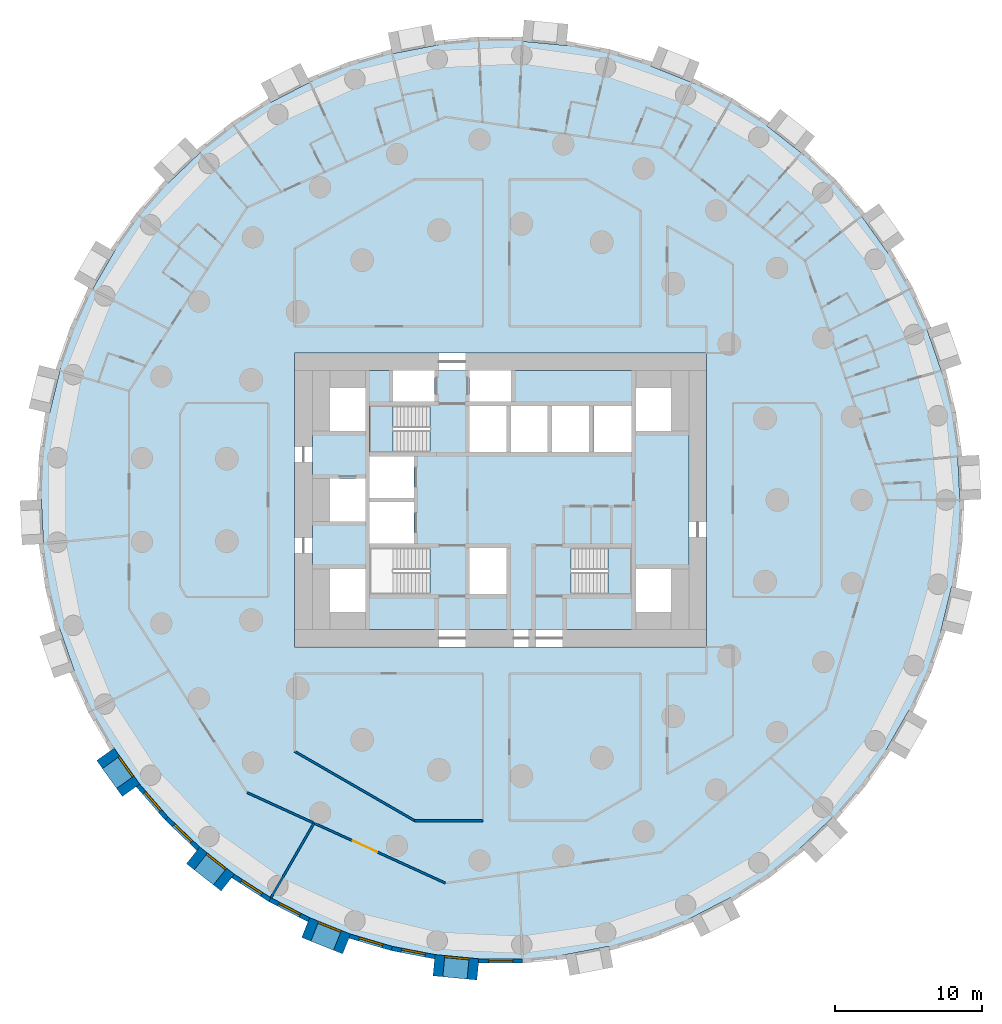
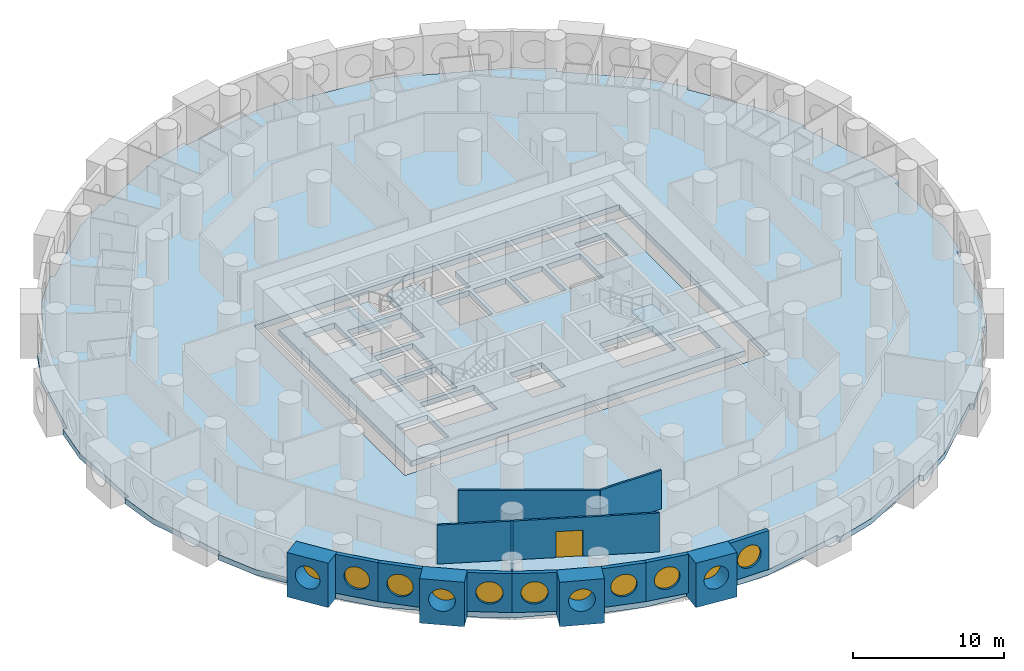
# One storey, part 2 of 12: 15 walls, 11 windows, 4 slabs, 1 door, 12 openings, 2 elements without a shape of their own.
"""IFC4 building model written with IfcOpenShell, lengths in metres."""

from ifc_helpers import new_model, si_unit, direction, frame, frame_2d, origin, origin_2d, place, context, subcontext, project, spatial, polyline, rectangle, circle, outline, extrude, material, layer, layer_set, type_object, element, fill, aggregate, save


model = new_model("IFC4")

# Units and contexts
model_context = context("Model", 3, precision=1e-05, world=origin(), true_north=direction((0.0, 1.0)))
body_context = subcontext(model_context, "Body", "Model", "MODEL_VIEW")
ifc_project = project(units=[si_unit("LENGTHUNIT", "METRE"), si_unit("AREAUNIT", "SQUARE_METRE"), si_unit("VOLUMEUNIT", "CUBIC_METRE"), si_unit("PLANEANGLEUNIT", "RADIAN"), si_unit("MASSUNIT", "GRAM", prefix="KILO")], contexts=[model_context])

# Site, building, storey
site_placement = place(None, origin())
site = spatial("IfcSite", under=ifc_project, at=site_placement, CompositionType="ELEMENT")
building_placement = place(site_placement, origin())
building = spatial("IfcBuilding", under=site, at=building_placement, Name="Tracery Tower", CompositionType="ELEMENT")
storey_placement = place(building_placement, frame((0.0, 0.0, 39.0)))
storey = spatial("IfcBuildingStorey", under=building, at=storey_placement, Name="L08", CompositionType="ELEMENT", Elevation=39.0)

# Slabs
ifc_material_1 = material(Name="Concrete C60/75", Category="concrete")
ifc_layer_1 = layer(ifc_material_1, 0.449951171875)
ifc_layer_set_1 = layer_set([ifc_layer_1], Name="Core floor slab 450 C60")
slab_type_1 = type_object("IfcSlabType", Name="Core floor slab 450 C60", PredefinedType="FLOOR", material=ifc_layer_set_1)
slab_1_placement = place(storey_placement, frame((0.0, 0.0, -0.449951171875)))
element("IfcSlab", 1, at=slab_1_placement, inside=storey, type_object=slab_type_1, Name="L08 core floor 1", PredefinedType="FLOOR", context=body_context, shape_type="SweptSolid", body=[
    extrude(outline(polyline([(-12.800048828125, 8.800048828125), (-7.300048828125, 8.800048828125), (-7.300048828125, 6.699951171875), (-4.5, 6.699951171875), (-4.5, 8.800048828125), (-2.10009765625, 8.800048828125), (-2.10009765625, 6.699951171875), (0.699951171875, 6.699951171875), (0.699951171875, 8.800048828125), (12.800048828125, 8.800048828125), (12.800048828125, -8.800048828125), (-12.800048828125, -8.800048828125), (-12.800048828125, 8.800048828125)]), holes=[polyline([(11.60009765625, -7.60009765625), (11.60009765625, -4.699951171875), (9.199951171875, -4.699951171875), (9.199951171875, -7.60009765625), (11.60009765625, -7.60009765625)]), polyline([(11.60009765625, 4.699951171875), (11.60009765625, 7.60009765625), (9.199951171875, 7.60009765625), (9.199951171875, 4.699951171875), (11.60009765625, 4.699951171875)]), polyline([(4.800537109375, -3.25), (4.800537109375, -6.39990234375), (8.89990234375, -6.39990234375), (8.89990234375, -3.25), (4.800537109375, -3.25)]), polyline([(6.300048828125, 3.25), (8.89990234375, 3.25), (8.89990234375, 6.39990234375), (6.300048828125, 6.39990234375), (6.300048828125, 3.25)]), polyline([(3.5, 3.25), (6.0, 3.25), (6.0, 6.39990234375), (3.5, 6.39990234375), (3.5, 3.25)]), polyline([(3.199951171875, 3.25), (3.199951171875, 6.39990234375), (0.699951171875, 6.39990234375), (0.699951171875, 3.25), (3.199951171875, 3.25)]), polyline([(-2.10009765625, 3.25), (0.39990234375, 3.25), (0.39990234375, 6.39990234375), (-2.10009765625, 6.39990234375), (-2.10009765625, 3.25)]), polyline([(0.39990234375, -6.39990234375), (0.39990234375, -3.25), (-2.10009765625, -3.25), (-2.10009765625, -6.39990234375), (0.39990234375, -6.39990234375)]), polyline([(-4.800537109375, -3.25), (-8.89990234375, -3.25), (-8.89990234375, -6.39990234375), (-4.800537109375, -6.39990234375), (-4.800537109375, -3.25)]), polyline([(-4.800537109375, 6.39990234375), (-8.89990234375, 6.39990234375), (-8.89990234375, 3.25), (-4.800537109375, 3.25), (-4.800537109375, 6.39990234375)]), polyline([(-8.89990234375, -2.949951171875), (-5.89990234375, -2.949951171875), (-5.89990234375, -0.14990234375), (-8.89990234375, -0.14990234375), (-8.89990234375, -2.949951171875)]), polyline([(-5.89990234375, 0.14990234375), (-5.89990234375, 2.949951171875), (-8.89990234375, 2.949951171875), (-8.89990234375, 0.14990234375), (-5.89990234375, 0.14990234375)]), polyline([(-11.60009765625, 4.699951171875), (-9.199951171875, 4.699951171875), (-9.199951171875, 7.60009765625), (-11.60009765625, 7.60009765625), (-11.60009765625, 4.699951171875)]), polyline([(-9.199951171875, -7.60009765625), (-9.199951171875, -4.699951171875), (-11.60009765625, -4.699951171875), (-11.60009765625, -7.60009765625), (-9.199951171875, -7.60009765625)]), polyline([(-9.199951171875, -1.449951171875), (-9.199951171875, 1.449951171875), (-11.60009765625, 1.449951171875), (-11.60009765625, -1.449951171875), (-9.199951171875, -1.449951171875)])]), origin(), (0.0, 0.0, 1.0), 0.449951171875),
])
ifc_material_2 = material(Name="Concrete C50/60", Category="concrete")
ifc_layer_2 = layer(ifc_material_2, 0.449951171875)
ifc_layer_set_2 = layer_set([ifc_layer_2], Name="Floor slab 450")
slab_type_2 = type_object("IfcSlabType", Name="Floor slab 450", PredefinedType="FLOOR", material=ifc_layer_set_2)
slab_2_placement = place(storey_placement, frame((0.0, 0.0, -0.449951171875)))
element("IfcSlab", 2, at=slab_2_placement, inside=storey, type_object=slab_type_2, Name="Floor slab L08", PredefinedType="FLOOR", context=body_context, shape_type="SweptSolid", body=[
    extrude(outline(polyline([(29.964111328125, 8.783447265625), (29.964111328125, 8.783447265625), (28.98291015625, 11.618408203125), (29.266357421875, 11.716552734375), (28.020263671875, 14.4453125), (26.27587890625, 16.869384765625), (26.27587890625, 16.869384765625), (26.27001953125, 16.877685546875), (26.267578125, 16.881103515625), (24.81201171875, 18.9248046875), (24.53564453125, 19.313232421875), (24.780029296875, 19.4873046875), (22.8154296875, 21.75439453125), (20.458740234375, 23.5888671875), (20.458740234375, 23.5888671875), (20.4541015625, 23.592529296875), (20.447509765625, 23.59765625), (18.11181640625, 25.4345703125), (18.11181640625, 25.4345703125), (18.1005859375, 25.443359375), (18.2861328125, 25.67919921875), (15.76220703125, 27.301025390625), (12.984375, 28.397216796875), (12.984375, 28.397216796875), (10.19921875, 29.51220703125), (10.310791015625, 29.790771484375), (7.43212890625, 30.635986328125), (4.4580078125, 30.905029296875), (4.4580078125, 30.905029296875), (4.45166015625, 30.90576171875), (4.443603515625, 30.906494140625), (1.859375, 31.1533203125), (1.471435546875, 31.190185546875), (1.5, 31.489013671875), (1.5, 31.489013671875), (-1.5, 31.489013671875), (-4.4296875, 30.9091796875), (-4.4296875, 30.9091796875), (-4.4365234375, 30.90771484375), (-4.443603515625, 30.906494140625), (-7.114501953125, 30.3916015625), (-7.37548828125, 30.34130859375), (-7.43212890625, 30.635986328125), (-10.310791015625, 29.790771484375), (-12.95849609375, 28.4091796875), (-12.958251953125, 28.4091796875), (-13.0693359375, 28.351806640625), (-15.612060546875, 27.041015625), (-15.612060546875, 27.041015625), (-15.624755859375, 27.034423828125), (-15.76220703125, 27.301025390625), (-15.76220703125, 27.301025390625), (-18.2861328125, 25.67919921875), (-20.437255859375, 23.607666015625), (-20.437255859375, 23.607666015625), (-20.441162109375, 23.603759765625), (-20.447509765625, 23.59765625), (-21.854736328125, 22.256103515625), (-22.6083984375, 21.537353515625), (-22.8154296875, 21.75439453125), (-24.780029296875, 19.4873046875), (-26.260498046875, 16.8935546875), (-26.260498046875, 16.8935546875), (-26.265380859375, 16.884765625), (-26.267578125, 16.881103515625), (-27.753173828125, 14.307861328125), (-27.753173828125, 14.307861328125), (-27.760498046875, 14.29541015625), (-28.02001953125, 14.4453125), (-28.020263671875, 14.4453125), (-29.266357421875, 11.716552734375), (-29.956298828125, 8.810791015625), (-29.9560546875, 8.810791015625), (-30.6015625, 6.150390625), (-30.659912109375, 5.9091796875), (-30.659912109375, 5.9091796875), (-30.663330078125, 5.895263671875), (-30.954833984375, 5.966064453125), (-31.3818359375, 2.99658203125), (-31.22509765625, 0.014404296875), (-31.224853515625, 0.014404296875), (-31.082275390625, -2.982421875), (-31.3818359375, -2.99658203125), (-30.954833984375, -5.966064453125), (-29.964111328125, -8.783447265625), (-29.964111328125, -8.783447265625), (-28.98291015625, -11.618408203125), (-29.266357421875, -11.716552734375), (-28.020263671875, -14.4453125), (-26.27587890625, -16.869384765625), (-26.27587890625, -16.869384765625), (-26.27001953125, -16.877685546875), (-26.267578125, -16.881103515625), (-24.81201171875, -18.9248046875), (-24.53564453125, -19.313232421875), (-24.780029296875, -19.4873046875), (-22.8154296875, -21.75439453125), (-20.458740234375, -23.5888671875), (-20.458740234375, -23.5888671875), (-20.4541015625, -23.592529296875), (-20.447509765625, -23.59765625), (-18.11181640625, -25.4345703125), (-18.11181640625, -25.4345703125), (-18.1005859375, -25.443359375), (-18.2861328125, -25.67919921875), (-15.76220703125, -27.301025390625), (-12.984375, -28.397216796875), (-12.984375, -28.397216796875), (-10.19921875, -29.51220703125), (-10.310791015625, -29.790771484375), (-7.43212890625, -30.635986328125), (-4.4580078125, -30.905029296875), (-4.4580078125, -30.905029296875), (-4.45166015625, -30.90576171875), (-4.443603515625, -30.906494140625), (-1.859375, -31.1533203125), (-1.471435546875, -31.190185546875), (-1.5, -31.489013671875), (-1.5, -31.489013671875), (1.5, -31.489013671875), (4.4296875, -30.9091796875), (4.4296875, -30.9091796875), (4.4365234375, -30.90771484375), (4.443603515625, -30.906494140625), (7.114501953125, -30.3916015625), (7.37548828125, -30.34130859375), (7.43212890625, -30.635986328125), (10.310791015625, -29.790771484375), (12.95849609375, -28.4091796875), (12.958251953125, -28.4091796875), (13.0693359375, -28.351806640625), (15.612060546875, -27.041015625), (15.612060546875, -27.041015625), (15.624755859375, -27.034423828125), (15.76220703125, -27.301025390625), (15.76220703125, -27.301025390625), (18.2861328125, -25.67919921875), (20.437255859375, -23.607666015625), (20.437255859375, -23.607666015625), (20.441162109375, -23.603759765625), (20.447509765625, -23.59765625), (21.854736328125, -22.256103515625), (22.6083984375, -21.537353515625), (22.8154296875, -21.75439453125), (24.780029296875, -19.4873046875), (26.260498046875, -16.8935546875), (26.260498046875, -16.8935546875), (26.265380859375, -16.884765625), (26.267578125, -16.881103515625), (27.753173828125, -14.307861328125), (27.753173828125, -14.307861328125), (27.760498046875, -14.29541015625), (28.02001953125, -14.4453125), (28.020263671875, -14.4453125), (29.266357421875, -11.716552734375), (29.956298828125, -8.810791015625), (29.9560546875, -8.810791015625), (30.6015625, -6.150390625), (30.659912109375, -5.9091796875), (30.659912109375, -5.9091796875), (30.663330078125, -5.895263671875), (30.954833984375, -5.966064453125), (31.3818359375, -2.99658203125), (31.22509765625, -0.014404296875), (31.224853515625, -0.014404296875), (31.082275390625, 2.982421875), (31.3818359375, 2.99658203125), (30.954833984375, 5.966064453125), (29.964111328125, 8.783447265625)]), holes=[polyline([(-14.0, -10.0), (14.0, -10.0), (14.0, 10.0), (-14.0, 10.0), (-14.0, -10.0)])]), origin(), (0.0, 0.0, 1.0), 0.449951171875),
])

# Stair, slab
ifc_material_3 = material(Name="Concrete C32/40", Category="concrete")
stair_type = type_object("IfcStairType", Name="Core stair 22 risers", PredefinedType="HALF_TURN_STAIR", material=ifc_material_3)
stair_1_placement = place(storey_placement, origin())
stair_1 = element("IfcStair", 3, at=stair_1_placement, inside=storey, type_object=stair_type, Name="L08 stair ST3", PredefinedType="HALF_TURN_STAIR")
ifc_material_4 = material(Name="Concrete C32/40", Category="concrete")
ifc_layer_3 = layer(ifc_material_4, 0.199951171875)
ifc_layer_set_3 = layer_set([ifc_layer_3], Name="Stair landing slab 200")
slab_type_3 = type_object("IfcSlabType", Name="Stair landing slab 200", PredefinedType="LANDING", material=ifc_layer_set_3)
slab_3_placement = place(storey_placement, frame((0.0, 0.0, 1.60009765625)))
slab_3 = element("IfcSlab", 4, at=slab_3_placement, type_object=slab_type_3, Name="ST3 landing 1", PredefinedType="LANDING", context=body_context, shape_type="SweptSolid", body=[
    extrude(outline(polyline([(-7.29931640625, 6.39990234375), (-8.89990234375, 6.39990234375), (-8.89990234375, 3.25), (-7.29931640625, 3.25), (-7.29931640625, 6.39990234375)])), origin(), (0.0, 0.0, 1.0), 0.199951171875),
])
aggregate(stair_1, [slab_3])

stair_2_placement = place(storey_placement, origin())
stair_2 = element("IfcStair", 5, at=stair_2_placement, inside=storey, type_object=stair_type, Name="L08 stair ST2", PredefinedType="HALF_TURN_STAIR")
slab_4_placement = place(storey_placement, frame((0.0, 0.0, 1.60009765625)))
slab_4 = element("IfcSlab", 6, at=slab_4_placement, type_object=slab_type_3, Name="ST2 landing 1", PredefinedType="LANDING", context=body_context, shape_type="SweptSolid", body=[
    extrude(outline(polyline([(7.29931640625, -6.39990234375), (8.89990234375, -6.39990234375), (8.89990234375, -3.25), (7.29931640625, -3.25), (7.29931640625, -6.39990234375)])), origin(), (0.0, 0.0, 1.0), 0.199951171875),
])
aggregate(stair_2, [slab_4])

# Wall, opening, window
ifc_material_5 = material(Name="Precast concrete C50/60", Category="concrete")
ifc_layer_4 = layer(ifc_material_5, 1.449951171875)
ifc_layer_set_4 = layer_set([ifc_layer_4], Name="Deep-set bay unit 3000 x 3600, slab edge 450")
wall_type_1 = type_object("IfcWallType", Name="Deep-set bay unit 3000 x 3600, slab edge 450", PredefinedType="ELEMENTEDWALL", material=ifc_layer_set_4)
wall_1_placement = place(storey_placement, frame((-26.866455078125, -17.2900390625, -0.449951171875), z_axis=(0.0, 0.0, 1.0), x_axis=(0.580090570606, -0.814551981088, 0.0)))
wall_1 = element("IfcWall", 7, at=wall_1_placement, inside=storey, type_object=wall_type_1, Name="Deep-set bay unit 40 at L08", PredefinedType="ELEMENTEDWALL", context=body_context, shape_type="SweptSolid", body=[
    extrude(rectangle(XDim=3.0, YDim=1.449951171875, at=frame_2d((1.5, 0.0))), origin(), (0.0, 0.0, 1.0), 3.599853515625),
])
opening_1_placement = place(wall_1_placement, frame((1.5, 0.0, 2.0)))
opening_1 = element("IfcOpeningElement", 8, at=opening_1_placement, cuts=wall_1, Name="Opening WN1", PredefinedType="OPENING", context=body_context, shape_type="SweptSolid", body=[
    extrude(circle(Radius=0.9000244140625, at=origin_2d()), frame((0.0, 0.73486328125, 0.0), z_axis=(0.0, -1.0, 0.0), x_axis=(1.0, 0.0, 0.0)), (0.0, 0.0, 1.0), 1.469970703125),
])
ifc_material_6 = material(Name="Aluminium frame with tinted double glazing", Category="aluminium")
window_type = type_object("IfcWindowType", Name="Round window 1800", PartitioningType="SINGLE_PANEL", PredefinedType="WINDOW", material=ifc_material_6)
window_1_placement = place(opening_1_placement, origin())
window_1 = element("IfcWindow", 9, at=window_1_placement, inside=storey, type_object=window_type, Name="Round window 40 at L08", OverallHeight=1.800048828125, OverallWidth=1.800048828125, PartitioningType="SINGLE_PANEL", PredefinedType="WINDOW", context=body_context, shape_type="SweptSolid", body=[
    extrude(circle(Radius=0.9000244140625, at=origin_2d()), frame((0.0, 0.69482421875, 0.0), z_axis=(0.0, -1.0, 0.0), x_axis=(1.0, 0.0, 0.0)), (0.0, 0.0, 1.0), 0.10009765625),
])
fill(opening_1, window_1)

wall_2_placement = place(storey_placement, frame((-20.906982421875, -24.15869140625, -0.449951171875), z_axis=(0.0, 0.0, 1.0), x_axis=(0.786049992888, -0.618162930529, 0.0)))
wall_2 = element("IfcWall", 10, at=wall_2_placement, inside=storey, type_object=wall_type_1, Name="Deep-set bay unit 43 at L08", PredefinedType="ELEMENTEDWALL", context=body_context, shape_type="SweptSolid", body=[
    extrude(rectangle(XDim=3.0, YDim=1.449951171875, at=frame_2d((1.5, 0.0))), origin(), (0.0, 0.0, 1.0), 3.599853515625),
])
opening_2_placement = place(wall_2_placement, frame((1.5, 0.0, 2.0)))
opening_2 = element("IfcOpeningElement", 11, at=opening_2_placement, cuts=wall_2, Name="Opening WN1", PredefinedType="OPENING", context=body_context, shape_type="SweptSolid", body=[
    extrude(circle(Radius=0.9000244140625, at=origin_2d()), frame((0.0, 0.73486328125, 0.0), z_axis=(0.0, -1.0, 0.0), x_axis=(1.0, 0.0, 0.0)), (0.0, 0.0, 1.0), 1.469970703125),
])
window_2_placement = place(opening_2_placement, origin())
window_2 = element("IfcWindow", 12, at=window_2_placement, inside=storey, type_object=window_type, Name="Round window 43 at L08", OverallHeight=1.800048828125, OverallWidth=1.800048828125, PartitioningType="SINGLE_PANEL", PredefinedType="WINDOW", context=body_context, shape_type="SweptSolid", body=[
    extrude(circle(Radius=0.9000244140625, at=origin_2d()), frame((0.0, 0.69482421875, 0.0), z_axis=(0.0, -1.0, 0.0), x_axis=(1.0, 0.0, 0.0)), (0.0, 0.0, 1.0), 0.10009765625),
])
fill(opening_2, window_2)

wall_3_placement = place(storey_placement, frame((-13.253662109375, -29.0703125, -0.449951171875), z_axis=(0.0, 0.0, 1.0), x_axis=(0.928358776184, -0.371685327504, 0.0)))
wall_3 = element("IfcWall", 13, at=wall_3_placement, inside=storey, type_object=wall_type_1, Name="Deep-set bay unit 46 at L08", PredefinedType="ELEMENTEDWALL", context=body_context, shape_type="SweptSolid", body=[
    extrude(rectangle(XDim=2.999755859375, YDim=1.449951171875, at=frame_2d((1.5, 0.0))), origin(), (0.0, 0.0, 1.0), 3.599853515625),
])
opening_3_placement = place(wall_3_placement, frame((1.5, 0.0, 2.0)))
opening_3 = element("IfcOpeningElement", 14, at=opening_3_placement, cuts=wall_3, Name="Opening WN1", PredefinedType="OPENING", context=body_context, shape_type="SweptSolid", body=[
    extrude(circle(Radius=0.9000244140625, at=origin_2d()), frame((0.0, 0.73486328125, 0.0), z_axis=(0.0, -1.0, 0.0), x_axis=(1.0, 0.0, 0.0)), (0.0, 0.0, 1.0), 1.469970703125),
])
window_3_placement = place(opening_3_placement, origin())
window_3 = element("IfcWindow", 15, at=window_3_placement, inside=storey, type_object=window_type, Name="Round window 46 at L08", OverallHeight=1.800048828125, OverallWidth=1.800048828125, PartitioningType="SINGLE_PANEL", PredefinedType="WINDOW", context=body_context, shape_type="SweptSolid", body=[
    extrude(circle(Radius=0.9000244140625, at=origin_2d()), frame((0.0, 0.69482421875, 0.0), z_axis=(0.0, -1.0, 0.0), x_axis=(1.0, 0.0, 0.0)), (0.0, 0.0, 1.0), 0.10009765625),
])
fill(opening_3, window_3)

wall_4_placement = place(storey_placement, frame((-4.52685546875, -31.626708984375, -0.449951171875), z_axis=(0.0, 0.0, 1.0), x_axis=(0.995472768558, -0.09504718333, 0.0)))
wall_4 = element("IfcWall", 16, at=wall_4_placement, inside=storey, type_object=wall_type_1, Name="Deep-set bay unit 49 at L08", PredefinedType="ELEMENTEDWALL", context=body_context, shape_type="SweptSolid", body=[
    extrude(rectangle(XDim=3.000244140625, YDim=1.449951171875, at=frame_2d((1.5, 0.0))), origin(), (0.0, 0.0, 1.0), 3.599853515625),
])
opening_4_placement = place(wall_4_placement, frame((1.5, 0.0, 2.0)))
opening_4 = element("IfcOpeningElement", 17, at=opening_4_placement, cuts=wall_4, Name="Opening WN1", PredefinedType="OPENING", context=body_context, shape_type="SweptSolid", body=[
    extrude(circle(Radius=0.9000244140625, at=origin_2d()), frame((0.0, 0.73486328125, 0.0), z_axis=(0.0, -1.0, 0.0), x_axis=(1.0, 0.0, 0.0)), (0.0, 0.0, 1.0), 1.469970703125),
])
window_4_placement = place(opening_4_placement, origin())
window_4 = element("IfcWindow", 18, at=window_4_placement, inside=storey, type_object=window_type, Name="Round window 49 at L08", OverallHeight=1.800048828125, OverallWidth=1.800048828125, PartitioningType="SINGLE_PANEL", PredefinedType="WINDOW", context=body_context, shape_type="SweptSolid", body=[
    extrude(circle(Radius=0.9000244140625, at=origin_2d()), frame((0.0, 0.69482421875, 0.0), z_axis=(0.0, -1.0, 0.0), x_axis=(1.0, 0.0, 0.0)), (0.0, 0.0, 1.0), 0.10009765625),
])
fill(opening_4, window_4)

ifc_material_7 = material(Name="Precast concrete C50/60", Category="concrete")
ifc_layer_5 = layer(ifc_material_7, 0.300048828125)
ifc_layer_set_5 = layer_set([ifc_layer_5], Name="Facade panel 3000 x 3150")
wall_type_2 = type_object("IfcWallType", Name="Facade panel 3000 x 3150", PredefinedType="SOLIDWALL", material=ifc_layer_set_5)
wall_5_placement = place(storey_placement, frame((-24.657958984375, -19.39892578125, 0.0), z_axis=(0.0, 0.0, 1.0), x_axis=(0.654830712471, -0.755775587066, 0.0)))
wall_5 = element("IfcWall", 19, at=wall_5_placement, inside=storey, type_object=wall_type_2, Name="Facade panel 41 at L08", PredefinedType="SOLIDWALL", context=body_context, shape_type="SweptSolid", body=[
    extrude(rectangle(XDim=2.979736328125, YDim=0.300048828125, at=frame_2d((1.48974609375, 0.0))), origin(), (0.0, 0.0, 1.0), 3.14990234375),
])
opening_5_placement = place(wall_5_placement, frame((1.48974609375, 0.0, 1.5498046875)))
opening_5 = element("IfcOpeningElement", 20, at=opening_5_placement, cuts=wall_5, Name="Opening WN1", PredefinedType="OPENING", context=body_context, shape_type="SweptSolid", body=[
    extrude(circle(Radius=0.9000244140625, at=origin_2d()), frame((0.0, 0.159912109375, 0.0), z_axis=(0.0, -1.0, 0.0), x_axis=(1.0, 0.0, 0.0)), (0.0, 0.0, 1.0), 0.320068359375),
])
window_5_placement = place(opening_5_placement, origin())
window_5 = element("IfcWindow", 21, at=window_5_placement, inside=storey, type_object=window_type, Name="Round window 41 at L08", OverallHeight=1.800048828125, OverallWidth=1.800048828125, PartitioningType="SINGLE_PANEL", PredefinedType="WINDOW", context=body_context, shape_type="SweptSolid", body=[
    extrude(circle(Radius=0.9000244140625, at=origin_2d()), frame((0.0, 0.1201171875, 0.0), z_axis=(0.0, -1.0, 0.0), x_axis=(1.0, 0.0, 0.0)), (0.0, 0.0, 1.0), 0.10009765625),
])
fill(opening_5, window_5)

wall_6_placement = place(storey_placement, frame((-22.706787109375, -21.65087890625, 0.0), z_axis=(0.0, 0.0, 1.0), x_axis=(0.723744206617, -0.690068346896, 0.0)))
wall_6 = element("IfcWall", 22, at=wall_6_placement, inside=storey, type_object=wall_type_2, Name="Facade panel 42 at L08", PredefinedType="SOLIDWALL", context=body_context, shape_type="SweptSolid", body=[
    extrude(rectangle(XDim=2.979736328125, YDim=0.300048828125, at=frame_2d((1.48974609375, 0.0))), origin(), (0.0, 0.0, 1.0), 3.14990234375),
])
opening_6_placement = place(wall_6_placement, frame((1.48974609375, 0.0, 1.5498046875)))
opening_6 = element("IfcOpeningElement", 23, at=opening_6_placement, cuts=wall_6, Name="Opening WN1", PredefinedType="OPENING", context=body_context, shape_type="SweptSolid", body=[
    extrude(circle(Radius=0.9000244140625, at=origin_2d()), frame((0.0, 0.159912109375, 0.0), z_axis=(0.0, -1.0, 0.0), x_axis=(1.0, 0.0, 0.0)), (0.0, 0.0, 1.0), 0.320068359375),
])
window_6_placement = place(opening_6_placement, origin())
window_6 = element("IfcWindow", 24, at=window_6_placement, inside=storey, type_object=window_type, Name="Round window 42 at L08", OverallHeight=1.800048828125, OverallWidth=1.800048828125, PartitioningType="SINGLE_PANEL", PredefinedType="WINDOW", context=body_context, shape_type="SweptSolid", body=[
    extrude(circle(Radius=0.9000244140625, at=origin_2d()), frame((0.0, 0.1201171875, 0.0), z_axis=(0.0, -1.0, 0.0), x_axis=(1.0, 0.0, 0.0)), (0.0, 0.0, 1.0), 0.10009765625),
])
fill(opening_6, window_6)

wall_7_placement = place(storey_placement, frame((-18.19384765625, -25.56005859375, 0.0), z_axis=(0.0, 0.0, 1.0), x_axis=(0.84122372879, -0.540687190639, 0.0)))
wall_7 = element("IfcWall", 25, at=wall_7_placement, inside=storey, type_object=wall_type_2, Name="Facade panel 44 at L08", PredefinedType="SOLIDWALL", context=body_context, shape_type="SweptSolid", body=[
    extrude(rectangle(XDim=2.979736328125, YDim=0.300048828125, at=frame_2d((1.48974609375, 0.0))), origin(), (0.0, 0.0, 1.0), 3.14990234375),
])
opening_7_placement = place(wall_7_placement, frame((1.48974609375, 0.0, 1.5498046875)))
opening_7 = element("IfcOpeningElement", 26, at=opening_7_placement, cuts=wall_7, Name="Opening WN1", PredefinedType="OPENING", context=body_context, shape_type="SweptSolid", body=[
    extrude(circle(Radius=0.9000244140625, at=origin_2d()), frame((0.0, 0.159912109375, 0.0), z_axis=(0.0, -1.0, 0.0), x_axis=(1.0, 0.0, 0.0)), (0.0, 0.0, 1.0), 0.320068359375),
])
window_7_placement = place(opening_7_placement, origin())
window_7 = element("IfcWindow", 27, at=window_7_placement, inside=storey, type_object=window_type, Name="Round window 44 at L08", OverallHeight=1.800048828125, OverallWidth=1.800048828125, PartitioningType="SINGLE_PANEL", PredefinedType="WINDOW", context=body_context, shape_type="SweptSolid", body=[
    extrude(circle(Radius=0.9000244140625, at=origin_2d()), frame((0.0, 0.1201171875, 0.0), z_axis=(0.0, -1.0, 0.0), x_axis=(1.0, 0.0, 0.0)), (0.0, 0.0, 1.0), 0.10009765625),
])
fill(opening_7, window_7)

wall_8_placement = place(storey_placement, frame((-15.687255859375, -27.171142578125, 0.0), z_axis=(0.0, 0.0, 1.0), x_axis=(0.888853225096, -0.4581920386, 0.0)))
wall_8 = element("IfcWall", 28, at=wall_8_placement, inside=storey, type_object=wall_type_2, Name="Facade panel 45 at L08", PredefinedType="SOLIDWALL", context=body_context, shape_type="SweptSolid", body=[
    extrude(rectangle(XDim=2.9794921875, YDim=0.300048828125, at=frame_2d((1.48974609375, 0.0))), origin(), (0.0, 0.0, 1.0), 3.14990234375),
])
opening_8_placement = place(wall_8_placement, frame((1.48974609375, 0.0, 1.5498046875)))
opening_8 = element("IfcOpeningElement", 29, at=opening_8_placement, cuts=wall_8, Name="Opening WN1", PredefinedType="OPENING", context=body_context, shape_type="SweptSolid", body=[
    extrude(circle(Radius=0.9000244140625, at=origin_2d()), frame((0.0, 0.159912109375, 0.0), z_axis=(0.0, -1.0, 0.0), x_axis=(1.0, 0.0, 0.0)), (0.0, 0.0, 1.0), 0.320068359375),
])
window_8_placement = place(opening_8_placement, origin())
window_8 = element("IfcWindow", 30, at=window_8_placement, inside=storey, type_object=window_type, Name="Round window 45 at L08", OverallHeight=1.800048828125, OverallWidth=1.800048828125, PartitioningType="SINGLE_PANEL", PredefinedType="WINDOW", context=body_context, shape_type="SweptSolid", body=[
    extrude(circle(Radius=0.9000244140625, at=origin_2d()), frame((0.0, 0.1201171875, 0.0), z_axis=(0.0, -1.0, 0.0), x_axis=(1.0, 0.0, 0.0)), (0.0, 0.0, 1.0), 0.10009765625),
])
fill(opening_8, window_8)

wall_9_placement = place(storey_placement, frame((-10.255859375, -29.650634765625, 0.0), z_axis=(0.0, 0.0, 1.0), x_axis=(0.959507586834, -0.28168278401, 0.0)))
wall_9 = element("IfcWall", 31, at=wall_9_placement, inside=storey, type_object=wall_type_2, Name="Facade panel 47 at L08", PredefinedType="SOLIDWALL", context=body_context, shape_type="SweptSolid", body=[
    extrude(rectangle(XDim=2.979736328125, YDim=0.300048828125, at=frame_2d((1.48974609375, 0.0))), origin(), (0.0, 0.0, 1.0), 3.14990234375),
])
opening_9_placement = place(wall_9_placement, frame((1.48974609375, 0.0, 1.5498046875)))
opening_9 = element("IfcOpeningElement", 32, at=opening_9_placement, cuts=wall_9, Name="Opening WN1", PredefinedType="OPENING", context=body_context, shape_type="SweptSolid", body=[
    extrude(circle(Radius=0.9000244140625, at=origin_2d()), frame((0.0, 0.159912109375, 0.0), z_axis=(0.0, -1.0, 0.0), x_axis=(1.0, 0.0, 0.0)), (0.0, 0.0, 1.0), 0.320068359375),
])
window_9_placement = place(opening_9_placement, origin())
window_9 = element("IfcWindow", 33, at=window_9_placement, inside=storey, type_object=window_type, Name="Round window 47 at L08", OverallHeight=1.800048828125, OverallWidth=1.800048828125, PartitioningType="SINGLE_PANEL", PredefinedType="WINDOW", context=body_context, shape_type="SweptSolid", body=[
    extrude(circle(Radius=0.9000244140625, at=origin_2d()), frame((0.0, 0.1201171875, 0.0), z_axis=(0.0, -1.0, 0.0), x_axis=(1.0, 0.0, 0.0)), (0.0, 0.0, 1.0), 0.10009765625),
])
fill(opening_9, window_9)

wall_10_placement = place(storey_placement, frame((-7.396728515625, -30.489990234375, 0.0), z_axis=(0.0, 0.0, 1.0), x_axis=(0.981924535406, -0.189272836848, 0.0)))
wall_10 = element("IfcWall", 34, at=wall_10_placement, inside=storey, type_object=wall_type_2, Name="Facade panel 48 at L08", PredefinedType="SOLIDWALL", context=body_context, shape_type="SweptSolid", body=[
    extrude(rectangle(XDim=2.979736328125, YDim=0.300048828125, at=frame_2d((1.48974609375, 0.0))), origin(), (0.0, 0.0, 1.0), 3.14990234375),
])
opening_10_placement = place(wall_10_placement, frame((1.48974609375, 0.0, 1.5498046875)))
opening_10 = element("IfcOpeningElement", 35, at=opening_10_placement, cuts=wall_10, Name="Opening WN1", PredefinedType="OPENING", context=body_context, shape_type="SweptSolid", body=[
    extrude(circle(Radius=0.9000244140625, at=origin_2d()), frame((0.0, 0.159912109375, 0.0), z_axis=(0.0, -1.0, 0.0), x_axis=(1.0, 0.0, 0.0)), (0.0, 0.0, 1.0), 0.320068359375),
])
window_10_placement = place(opening_10_placement, origin())
window_10 = element("IfcWindow", 36, at=window_10_placement, inside=storey, type_object=window_type, Name="Round window 48 at L08", OverallHeight=1.800048828125, OverallWidth=1.800048828125, PartitioningType="SINGLE_PANEL", PredefinedType="WINDOW", context=body_context, shape_type="SweptSolid", body=[
    extrude(circle(Radius=0.9000244140625, at=origin_2d()), frame((0.0, 0.1201171875, 0.0), z_axis=(0.0, -1.0, 0.0), x_axis=(1.0, 0.0, 0.0)), (0.0, 0.0, 1.0), 0.10009765625),
])
fill(opening_10, window_10)

wall_11_placement = place(storey_placement, frame((-1.48681640625, -31.3388671875, 0.0), z_axis=(0.0, 0.0, 1.0), x_axis=(1.0, 0.0, 0.0)))
wall_11 = element("IfcWall", 37, at=wall_11_placement, inside=storey, type_object=wall_type_2, Name="Facade panel 50 at L08", PredefinedType="SOLIDWALL", context=body_context, shape_type="SweptSolid", body=[
    extrude(rectangle(XDim=2.979736328125, YDim=0.300048828125, at=frame_2d((1.48974609375, 0.0))), origin(), (0.0, 0.0, 1.0), 3.14990234375),
])
opening_11_placement = place(wall_11_placement, frame((1.48974609375, 0.0, 1.5498046875)))
opening_11 = element("IfcOpeningElement", 38, at=opening_11_placement, cuts=wall_11, Name="Opening WN1", PredefinedType="OPENING", context=body_context, shape_type="SweptSolid", body=[
    extrude(circle(Radius=0.9000244140625, at=origin_2d()), frame((0.0, 0.159912109375, 0.0), z_axis=(0.0, -1.0, 0.0), x_axis=(1.0, 0.0, 0.0)), (0.0, 0.0, 1.0), 0.320068359375),
])
window_11_placement = place(opening_11_placement, origin())
window_11 = element("IfcWindow", 39, at=window_11_placement, inside=storey, type_object=window_type, Name="Round window 50 at L08", OverallHeight=1.800048828125, OverallWidth=1.800048828125, PartitioningType="SINGLE_PANEL", PredefinedType="WINDOW", context=body_context, shape_type="SweptSolid", body=[
    extrude(circle(Radius=0.9000244140625, at=origin_2d()), frame((0.0, 0.1201171875, 0.0), z_axis=(0.0, -1.0, 0.0), x_axis=(1.0, 0.0, 0.0)), (0.0, 0.0, 1.0), 0.10009765625),
])
fill(opening_11, window_11)

# Walls
ifc_material_8 = material(Name="Plasterboard on steel studs", Category="steel")
ifc_layer_6 = layer(ifc_material_8, 0.14990234375)
ifc_layer_set_6 = layer_set([ifc_layer_6], Name="Partition 150 acoustic unit wall")
wall_type_3 = type_object("IfcWallType", Name="Partition 150 acoustic unit wall", PredefinedType="PARTITIONING", material=ifc_layer_set_6)
wall_12_placement = place(storey_placement, frame((-15.612060546875, -27.041015625, 0.0), z_axis=(0.0, 0.0, 1.0), x_axis=(0.499954606878, 0.86605160993, 0.0)))
element("IfcWall", 40, at=wall_12_placement, inside=storey, type_object=wall_type_3, Name="Unit wall RA2-120", PredefinedType="PARTITIONING", context=body_context, shape_type="SweptSolid", body=[
    extrude(rectangle(XDim=5.8564453125, YDim=0.14990234375, at=frame_2d((2.92822265625, 0.0))), origin(), (0.0, 0.0, 1.0), 3.14990234375),
])
ifc_material_9 = material(Name="Plasterboard on steel studs", Category="steel")
ifc_layer_7 = layer(ifc_material_9, 0.14990234375)
ifc_layer_set_7 = layer_set([ifc_layer_7], Name="Partition 150 corridor wall")
wall_type_4 = type_object("IfcWallType", Name="Partition 150 corridor wall", PredefinedType="PARTITIONING", material=ifc_layer_set_7)
wall_13_placement = place(storey_placement, frame((-14.0, -17.092041015625, 0.0), z_axis=(0.0, 0.0, 1.0), x_axis=(0.86602719091, -0.499996904595, 0.0)))
element("IfcWall", 41, at=wall_13_placement, inside=storey, type_object=wall_type_4, Name="Corridor wall RA2-046", PredefinedType="PARTITIONING", context=body_context, shape_type="SweptSolid", body=[
    extrude(rectangle(XDim=9.419921875, YDim=0.14990234375, at=frame_2d((4.7099609375, 0.0))), origin(), (0.0, 0.0, 1.0), 3.14990234375),
])
wall_14_placement = place(storey_placement, frame((-5.842041015625, -21.802001953125, 0.0), z_axis=(0.0, 0.0, 1.0), x_axis=(1.0, 0.0, 0.0)))
element("IfcWall", 42, at=wall_14_placement, inside=storey, type_object=wall_type_4, Name="Corridor wall RA2-047", PredefinedType="PARTITIONING", context=body_context, shape_type="SweptSolid", body=[
    extrude(rectangle(XDim=4.650146484375, YDim=0.14990234375, at=frame_2d((2.3251953125, 0.0))), origin(), (0.0, 0.0, 1.0), 3.14990234375),
])

# Wall, opening, door
wall_15_placement = place(storey_placement, frame((-17.235107421875, -19.889892578125, 0.0), z_axis=(0.0, 0.0, 1.0), x_axis=(0.909645678785, -0.415385049163, 0.0)))
wall_15 = element("IfcWall", 43, at=wall_15_placement, inside=storey, type_object=wall_type_4, Name="Corridor wall RA2-055", PredefinedType="PARTITIONING", context=body_context, shape_type="SweptSolid", body=[
    extrude(rectangle(XDim=14.829345703125, YDim=0.14990234375, at=frame_2d((7.41455078125, 0.0))), origin(), (0.0, 0.0, 1.0), 3.14990234375),
])
opening_12_placement = place(wall_15_placement, frame((7.914306640625, 0.0, 0.0)))
opening_12 = element("IfcOpeningElement", 44, at=opening_12_placement, cuts=wall_15, Name="Opening RA2-48", PredefinedType="OPENING", context=body_context, shape_type="SweptSolid", body=[
    extrude(rectangle(XDim=1.800048828125, YDim=2.10009765625, at=frame_2d((0.89990234375, 1.050048828125))), frame((0.0, 0.074951171875, 0.0), z_axis=(0.0, -1.0, 0.0), x_axis=(1.0, 0.0, 0.0)), (0.0, 0.0, 1.0), 0.14990234375),
])
ifc_material_10 = material(Name="Timber door leaf", Category="wood")
door_type = type_object("IfcDoorType", Name="Door double lounge 1800", OperationType="NOTDEFINED", PredefinedType="DOOR", material=ifc_material_10)
door_placement = place(opening_12_placement, origin())
door = element("IfcDoor", 45, at=door_placement, inside=storey, type_object=door_type, Name="Double lounge door RA2-48", OperationType="DOUBLE_DOOR_SINGLE_SWING", OverallHeight=2.10009765625, OverallWidth=1.800048828125, PredefinedType="DOOR", context=body_context, shape_type="SweptSolid", body=[
    extrude(rectangle(XDim=1.800048828125, YDim=2.10009765625, at=frame_2d((0.89990234375, 1.050048828125))), frame((0.0, 0.02490234375, 0.0), z_axis=(0.0, -1.0, 0.0), x_axis=(1.0, 0.0, 0.0)), (0.0, 0.0, 1.0), 0.050048828125),
])
fill(opening_12, door)

save(model, "model.ifc")
